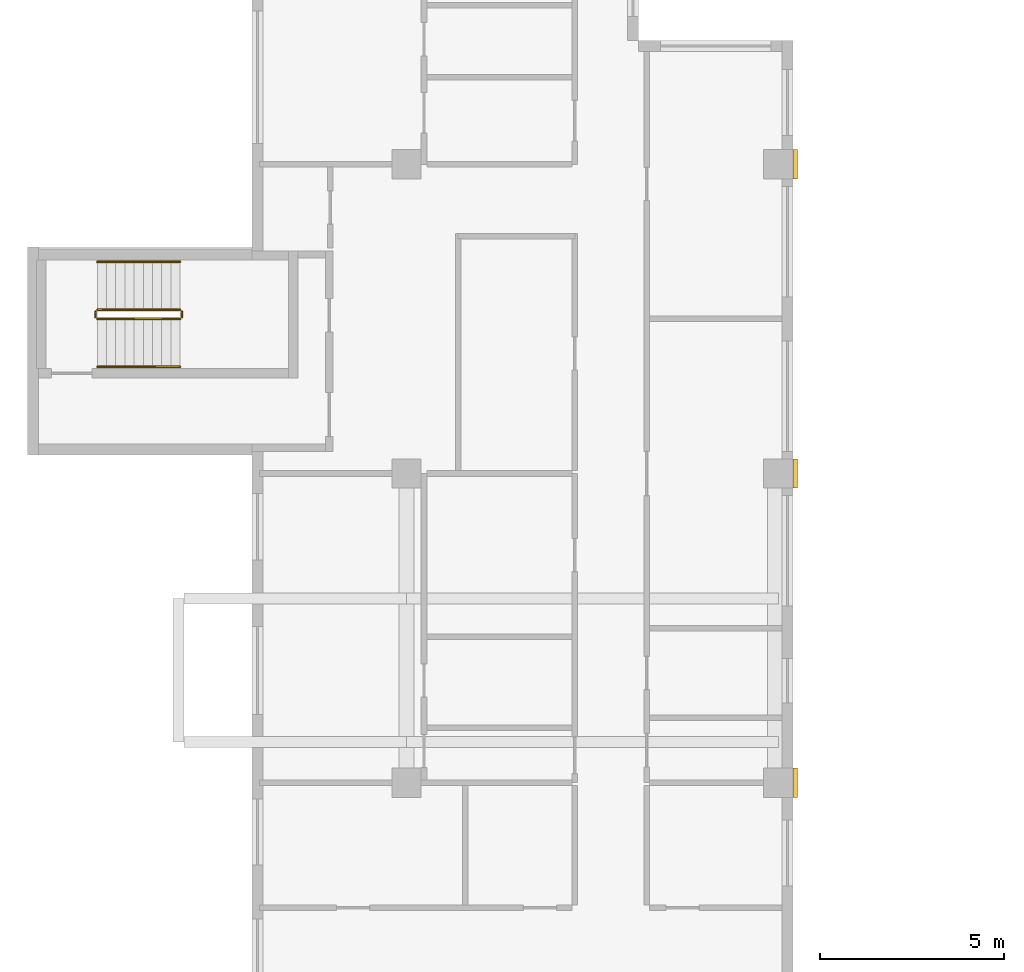
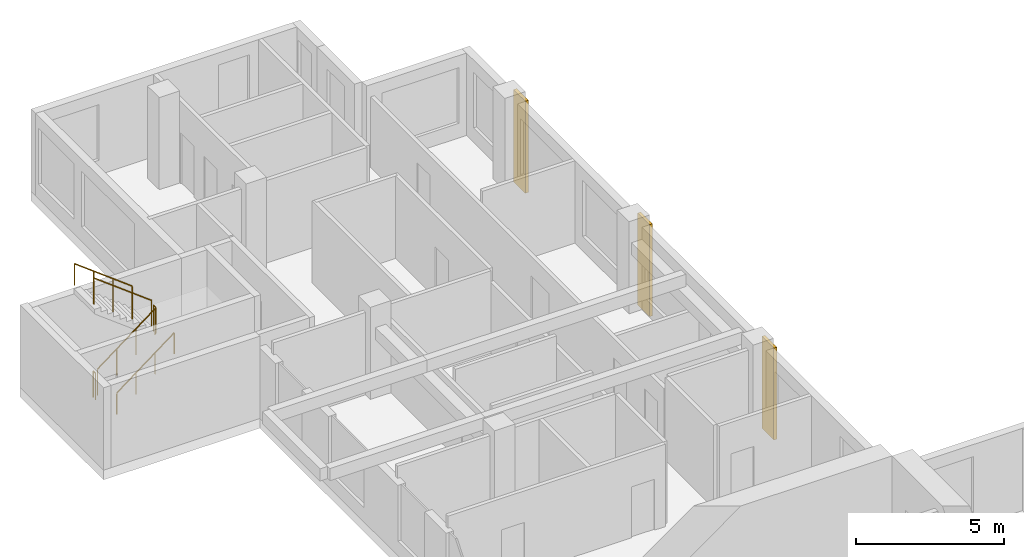
# One storey, part 11 of 11: 6 railings, 3 coverings.
"""IFC4 building model written with IfcOpenShell, lengths in metres."""

from ifc_helpers import new_model, si_unit, direction, frame, origin, origin_2d, place, context, subcontext, project, spatial, rectangle, circle, extrude, source, transform, mapped, material, type_object, element, save


model = new_model("IFC4")

# Units and contexts
model_context = context("Model", 3, precision=1e-05, world=origin(), true_north=direction((0.0, 1.0)))
body_context = subcontext(model_context, "Body", "Model", "MODEL_VIEW")
ifc_project = project(units=[si_unit("LENGTHUNIT", "METRE"), si_unit("AREAUNIT", "SQUARE_METRE"), si_unit("VOLUMEUNIT", "CUBIC_METRE"), si_unit("PLANEANGLEUNIT", "RADIAN"), si_unit("MASSUNIT", "GRAM", prefix="KILO")], contexts=[model_context])

# Site, building, storey
site_placement = place(None, origin())
site = spatial("IfcSite", under=ifc_project, at=site_placement, CompositionType="ELEMENT")
building_placement = place(site_placement, origin())
building = spatial("IfcBuilding", under=site, at=building_placement, Name="Aurelian Terraces", CompositionType="ELEMENT")
storey_placement = place(building_placement, frame((0.0, 0.0, 250.0)))
storey = spatial("IfcBuildingStorey", under=building, at=storey_placement, Name="L57", CompositionType="ELEMENT", Elevation=250.0)

# Coverings
ifc_material_1 = material(Name="Terracotta rainscreen cladding relief", Category="masonry")
covering_type = type_object("IfcCoveringType", Name="BAGUETTE-TC", PredefinedType="CLADDING", material=ifc_material_1)
shared_shape_1 = source(origin(), body_context, "Body", "SweptSolid", [
    extrude(rectangle(XDim=0.12, YDim=0.8, at=origin_2d()), origin(), (0.0, 0.0, 1.0), 3.8),
])
for number, where, z_axis, x_axis, name in (
    (1, (21.06, 29.4, -0.4), (0.0, 0.0, 1.0), (1.0, 0.0, 0.0), "BAGUETTE pier L57 6"),
    (2, (21.06, 37.8, -0.4), (0.0, 0.0, 1.0), (1.0, 0.0, 0.0), "BAGUETTE pier L57 7"),
    (3, (21.06, 46.2, -0.4), (0.0, 0.0, 1.0), (1.0, 0.0, 0.0), "BAGUETTE pier L57 8"),
):
    element("IfcCovering", number, at=place(storey_placement, frame(where, z_axis=z_axis, x_axis=x_axis)), inside=storey, type_object=covering_type, Name=name, PredefinedType="CLADDING", context=body_context, shape_type="MappedRepresentation", body=[
        mapped(shared_shape_1, transform((0.0, 0.0, 0.0), scale=1.0)),
    ])

# Railings
ifc_material_2 = material(Name="Stainless steel", Category="steel")
railing_type_1 = type_object("IfcRailingType", Name="Stair guard 1100", PredefinedType="GUARDRAIL", material=ifc_material_2)
shared_shape_2 = source(origin(), body_context, "Body", "SweptSolid", [
    extrude(circle(Radius=0.024, at=origin_2d()), frame((0.0, 0.0, 1.076), z_axis=(0.0, 1.0, 0.0), x_axis=(-1.0, 0.0, 0.0)), (0.0, 0.0, 1.0), 0.15),
    extrude(circle(Radius=0.021, at=origin_2d()), origin(), (0.0, 0.0, 1.0), 1.052),
    extrude(circle(Radius=0.021, at=origin_2d()), frame((0.0, 0.15, 0.0)), (0.0, 0.0, 1.0), 1.052),
])
for number, where, name in (
    (4, (4.4, 42.05, 1.9), "L57 S3 stair guard 2"),
    (5, (2.05, 42.05, 0.0), "L57 S3 stair guard 4"),
):
    element("IfcRailing", number, at=place(storey_placement, frame(where)), inside=storey, type_object=railing_type_1, Name=name, PredefinedType="GUARDRAIL", context=body_context, shape_type="MappedRepresentation", body=[
        mapped(shared_shape_2, transform((0.0, 0.0, 0.0), scale=1.0)),
    ])
shared_shape_3 = source(origin(), body_context, "Body", "SweptSolid", [
    extrude(circle(Radius=0.024, at=origin_2d()), frame((0.0, 0.0, 1.076), z_axis=(0.796162194123, 0.0, 0.605083267534), x_axis=(0.0, 1.0, 0.0)), (0.0, 0.0, 1.0), 2.8261),
    extrude(circle(Radius=0.021, at=origin_2d()), origin(), (0.0, 0.0, 1.0), 1.052),
    extrude(circle(Radius=0.021, at=origin_2d()), frame((0.75, 0.0, 0.57)), (0.0, 0.0, 1.0), 1.052),
    extrude(circle(Radius=0.021, at=origin_2d()), frame((1.5, 0.0, 1.14)), (0.0, 0.0, 1.0), 1.052),
    extrude(circle(Radius=0.021, at=origin_2d()), frame((2.25, 0.0, 1.71)), (0.0, 0.0, 1.0), 1.052),
])
railing_1_placement = place(storey_placement, frame((2.1, 42.0, 0.19)))
element("IfcRailing", 6, at=railing_1_placement, inside=storey, type_object=railing_type_1, Name="L57 S3 stair guard 1", PredefinedType="GUARDRAIL", context=body_context, shape_type="MappedRepresentation", body=[
    mapped(shared_shape_3, transform((0.0, 0.0, 0.0), scale=1.0)),
])
shared_shape_4 = source(origin(), body_context, "Body", "SweptSolid", [
    extrude(circle(Radius=0.024, at=origin_2d()), frame((0.0, 0.0, 1.076), z_axis=(-0.796162194123, 0.0, 0.605083267534), x_axis=(0.0, -1.0, 0.0)), (0.0, 0.0, 1.0), 2.8261),
    extrude(circle(Radius=0.021, at=origin_2d()), origin(), (0.0, 0.0, 1.0), 1.052),
    extrude(circle(Radius=0.021, at=origin_2d()), frame((-0.75, 0.0, 0.57)), (0.0, 0.0, 1.0), 1.052),
    extrude(circle(Radius=0.021, at=origin_2d()), frame((-1.5, 0.0, 1.14)), (0.0, 0.0, 1.0), 1.052),
    extrude(circle(Radius=0.021, at=origin_2d()), frame((-2.25, 0.0, 1.71)), (0.0, 0.0, 1.0), 1.052),
])
railing_2_placement = place(storey_placement, frame((4.35, 42.25, 2.09)))
element("IfcRailing", 7, at=railing_2_placement, inside=storey, type_object=railing_type_1, Name="L57 S3 stair guard 3", PredefinedType="GUARDRAIL", context=body_context, shape_type="MappedRepresentation", body=[
    mapped(shared_shape_4, transform((0.0, 0.0, 0.0), scale=1.0)),
])
railing_type_2 = type_object("IfcRailingType", Name="Stair handrail", PredefinedType="HANDRAIL", material=ifc_material_2)
shared_shape_5 = source(origin(), body_context, "Body", "SweptSolid", [
    extrude(circle(Radius=0.024, at=origin_2d()), frame((0.0, 0.0, 0.876), z_axis=(0.796162194123, 0.0, 0.605083267534), x_axis=(0.0, 1.0, 0.0)), (0.0, 0.0, 1.0), 2.8261),
    extrude(circle(Radius=0.021, at=origin_2d()), origin(), (0.0, 0.0, 1.0), 0.852),
    extrude(circle(Radius=0.021, at=origin_2d()), frame((0.75, 0.0, 0.57)), (0.0, 0.0, 1.0), 0.852),
    extrude(circle(Radius=0.021, at=origin_2d()), frame((1.5, 0.0, 1.14)), (0.0, 0.0, 1.0), 0.852),
    extrude(circle(Radius=0.021, at=origin_2d()), frame((2.25, 0.0, 1.71)), (0.0, 0.0, 1.0), 0.852),
])
railing_3_placement = place(storey_placement, frame((2.1, 40.7, 0.19)))
element("IfcRailing", 8, at=railing_3_placement, inside=storey, type_object=railing_type_2, Name="L57 S3 stair handrail 1", PredefinedType="HANDRAIL", context=body_context, shape_type="MappedRepresentation", body=[
    mapped(shared_shape_5, transform((0.0, 0.0, 0.0), scale=1.0)),
])
shared_shape_6 = source(origin(), body_context, "Body", "SweptSolid", [
    extrude(circle(Radius=0.024, at=origin_2d()), frame((0.0, 0.0, 0.876), z_axis=(-0.796162194123, 0.0, 0.605083267534), x_axis=(0.0, -1.0, 0.0)), (0.0, 0.0, 1.0), 2.8261),
    extrude(circle(Radius=0.021, at=origin_2d()), origin(), (0.0, 0.0, 1.0), 0.852),
    extrude(circle(Radius=0.021, at=origin_2d()), frame((-0.75, 0.0, 0.57)), (0.0, 0.0, 1.0), 0.852),
    extrude(circle(Radius=0.021, at=origin_2d()), frame((-1.5, 0.0, 1.14)), (0.0, 0.0, 1.0), 0.852),
    extrude(circle(Radius=0.021, at=origin_2d()), frame((-2.25, 0.0, 1.71)), (0.0, 0.0, 1.0), 0.852),
])
railing_4_placement = place(storey_placement, frame((4.35, 43.55, 2.09)))
element("IfcRailing", 9, at=railing_4_placement, inside=storey, type_object=railing_type_2, Name="L57 S3 stair handrail 2", PredefinedType="HANDRAIL", context=body_context, shape_type="MappedRepresentation", body=[
    mapped(shared_shape_6, transform((0.0, 0.0, 0.0), scale=1.0)),
])

save(model, "model.ifc")
